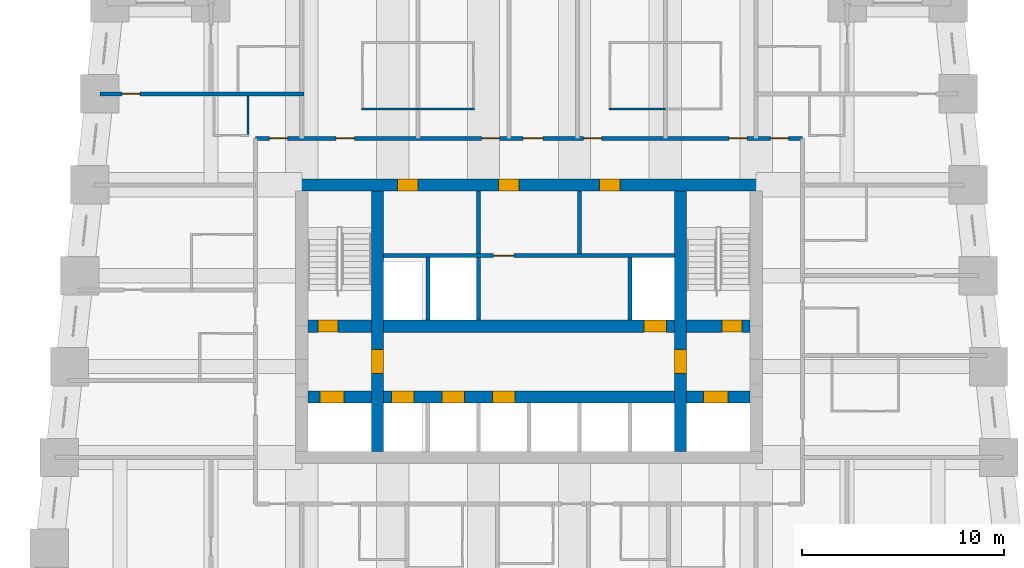
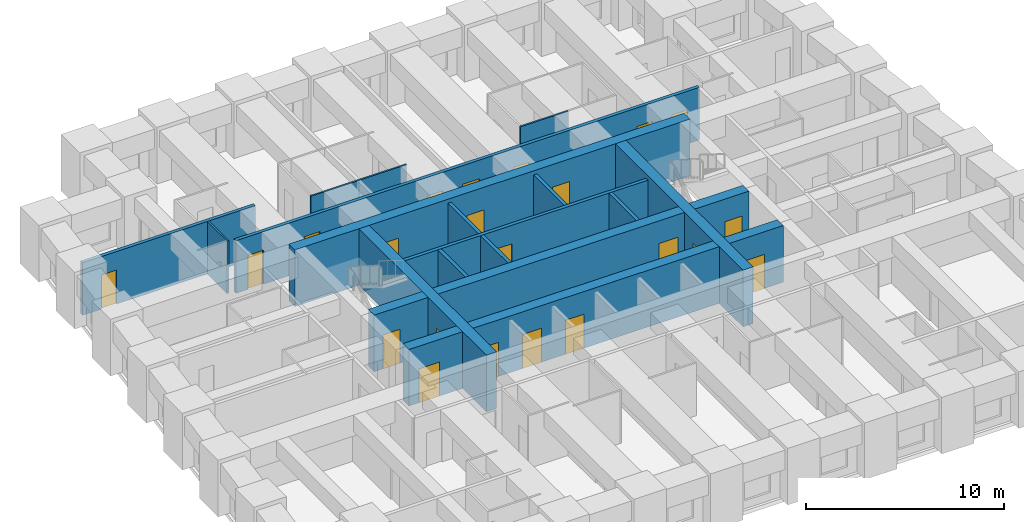
# One storey, part 4 of 8: 22 doors, 17 walls, 22 openings.
"""IFC4 building model written with IfcOpenShell, lengths in metres."""

from ifc_helpers import new_model, si_unit, direction, frame, frame_2d, origin, place, context, subcontext, project, spatial, rectangle, extrude, material, layer, layer_set, type_object, element, fill, save


model = new_model("IFC4")

# Units and contexts
model_context = context("Model", 3, precision=1e-05, world=origin(), true_north=direction((0.0, 1.0)))
body_context = subcontext(model_context, "Body", "Model", "MODEL_VIEW")
ifc_project = project(units=[si_unit("LENGTHUNIT", "METRE"), si_unit("AREAUNIT", "SQUARE_METRE"), si_unit("VOLUMEUNIT", "CUBIC_METRE"), si_unit("PLANEANGLEUNIT", "RADIAN"), si_unit("MASSUNIT", "GRAM", prefix="KILO")], contexts=[model_context])

# Site, building, storey
site_placement = place(None, origin())
site = spatial("IfcSite", under=ifc_project, at=site_placement, CompositionType="ELEMENT")
building_placement = place(site_placement, origin())
building = spatial("IfcBuilding", under=site, at=building_placement, Name="Kilele Tower Hotel", CompositionType="ELEMENT")
storey_placement = place(building_placement, frame((0.0, 0.0, 71.699951171875)))
storey = spatial("IfcBuildingStorey", under=building, at=storey_placement, Name="L17", CompositionType="ELEMENT", Elevation=71.699951171875)

# Walls
ifc_material_1 = material(Name="Moisture-resistant board")
ifc_layer_1 = layer(ifc_material_1, 0.10009765625)
ifc_layer_set_1 = layer_set([ifc_layer_1], Name="Moisture-resistant board")
wall_type_1 = type_object("IfcWallType", Name="Bathroom partition 100", PredefinedType="PLUMBINGWALL", material=ifc_layer_set_1)
for number, where, z_axis, x_axis, name in (
    (1, (16.449951171875, 30.75, 0.0), (0.0, 0.0, 1.0), (1.0, 0.0, 0.0), "Bathroom partition 100 L17"),
    (2, (19.25, 30.75, 0.0), (0.0, 0.0, 1.0), (1.0, 0.0, 0.0), "Bathroom partition 100 L17"),
    (3, (28.699951171875, 30.75, 0.0), (0.0, 0.0, 1.0), (1.0, 0.0, 0.0), "Bathroom partition 100 L17"),
):
    element("IfcWall", number, at=place(storey_placement, frame(where, z_axis=z_axis, x_axis=x_axis)), inside=storey, type_object=wall_type_1, Name=name, PredefinedType="PLUMBINGWALL", context=body_context, shape_type="SweptSolid", body=[
        extrude(rectangle(XDim=2.800048828125, YDim=0.10009765625, at=frame_2d((1.39990234375, 0.0))), origin(), (0.0, 0.0, 1.0), 3.25),
    ])
wall_1_placement = place(storey_placement, frame((10.85009765625, 31.39990234375, 0.0), z_axis=(0.0, 0.0, 1.0), x_axis=(0.0, -1.0, 0.0)))
element("IfcWall", 4, at=wall_1_placement, inside=storey, type_object=wall_type_1, Name="Bathroom partition 100 L17", PredefinedType="PLUMBINGWALL", context=body_context, shape_type="SweptSolid", body=[
    extrude(rectangle(XDim=2.0, YDim=0.10009765625, at=frame_2d((1.0, 0.0))), origin(), (0.0, 0.0, 1.0), 3.25),
])

# Wall, openings, doors
ifc_material_2 = material(Name="Concrete C60/75", Category="concrete")
ifc_layer_2 = layer(ifc_material_2, 0.60009765625)
ifc_layer_set_2 = layer_set([ifc_layer_2], Name="Concrete C60/75")
wall_type_2 = type_object("IfcWallType", Name="Core wall 600 C60/75", PredefinedType="SHEAR", material=ifc_layer_set_2)
wall_2_placement = place(storey_placement, frame((36.300048828125, 27.0, 0.0), z_axis=(0.0, 0.0, 1.0), x_axis=(-1.0, 0.0, 0.0)))
wall_2 = element("IfcWall", 5, at=wall_2_placement, inside=storey, type_object=wall_type_2, Name="Core wall N L17", PredefinedType="SHEAR", context=body_context, shape_type="SweptSolid", body=[
    extrude(rectangle(XDim=23.10009765625, YDim=0.60009765625, at=frame_2d((11.550048828125, 0.0))), origin(), (0.0, 0.0, 1.0), 3.5),
])
opening_1_placement = place(wall_2_placement, frame((17.050048828125, 0.0, 0.0)))
opening_1 = element("IfcOpeningElement", 6, at=opening_1_placement, cuts=wall_2, Name="Opening D6", PredefinedType="OPENING", context=body_context, shape_type="SweptSolid", body=[
    extrude(rectangle(XDim=1.0, YDim=2.10009765625, at=frame_2d((0.5, 1.050048828125))), frame((0.0, 0.31005859375, 0.0), z_axis=(0.0, -1.0, 0.0), x_axis=(1.0, 0.0, 0.0)), (0.0, 0.0, 1.0), 0.6201171875),
])
opening_2_placement = place(wall_2_placement, frame((12.050048828125, 0.0, 0.0)))
opening_2 = element("IfcOpeningElement", 7, at=opening_2_placement, cuts=wall_2, Name="Opening D6", PredefinedType="OPENING", context=body_context, shape_type="SweptSolid", body=[
    extrude(rectangle(XDim=1.0, YDim=2.10009765625, at=frame_2d((0.5, 1.050048828125))), frame((0.0, 0.31005859375, 0.0), z_axis=(0.0, -1.0, 0.0), x_axis=(1.0, 0.0, 0.0)), (0.0, 0.0, 1.0), 0.6201171875),
])
opening_3_placement = place(wall_2_placement, frame((7.050048828125, 0.0, 0.0)))
opening_3 = element("IfcOpeningElement", 8, at=opening_3_placement, cuts=wall_2, Name="Opening D6", PredefinedType="OPENING", context=body_context, shape_type="SweptSolid", body=[
    extrude(rectangle(XDim=1.0, YDim=2.10009765625, at=frame_2d((0.5, 1.050048828125))), frame((0.0, 0.31005859375, 0.0), z_axis=(0.0, -1.0, 0.0), x_axis=(1.0, 0.0, 0.0)), (0.0, 0.0, 1.0), 0.6201171875),
])
ifc_material_3 = material(Name="Timber door leaf in hardwood frame", Category="wood")
door_type_1 = type_object("IfcDoorType", Name="Riser door 1000", OperationType="SINGLE_SWING_LEFT", PredefinedType="DOOR", material=ifc_material_3)
door_1_placement = place(opening_1_placement, origin())
door_1 = element("IfcDoor", 9, at=door_1_placement, inside=storey, type_object=door_type_1, Name="Service riser door L17", OperationType="SINGLE_SWING_RIGHT", OverallHeight=2.10009765625, OverallWidth=1.0, PredefinedType="DOOR", context=body_context, shape_type="SweptSolid", body=[
    extrude(rectangle(XDim=1.0, YDim=2.10009765625, at=frame_2d((0.5, 1.050048828125))), frame((0.0, 0.2998046875, 0.0), z_axis=(0.0, -1.0, 0.0), x_axis=(1.0, 0.0, 0.0)), (0.0, 0.0, 1.0), 0.599609375),
])
fill(opening_1, door_1)
door_2_placement = place(opening_2_placement, origin())
door_2 = element("IfcDoor", 10, at=door_2_placement, inside=storey, type_object=door_type_1, Name="Housekeeping store door L17", OperationType="SINGLE_SWING_RIGHT", OverallHeight=2.10009765625, OverallWidth=1.0, PredefinedType="DOOR", context=body_context, shape_type="SweptSolid", body=[
    extrude(rectangle(XDim=1.0, YDim=2.10009765625, at=frame_2d((0.5, 1.050048828125))), frame((0.0, 0.2998046875, 0.0), z_axis=(0.0, -1.0, 0.0), x_axis=(1.0, 0.0, 0.0)), (0.0, 0.0, 1.0), 0.599609375),
])
fill(opening_2, door_2)
door_3_placement = place(opening_3_placement, origin())
door_3 = element("IfcDoor", 11, at=door_3_placement, inside=storey, type_object=door_type_1, Name="Electrical riser door L17", OperationType="SINGLE_SWING_RIGHT", OverallHeight=2.10009765625, OverallWidth=1.0, PredefinedType="DOOR", context=body_context, shape_type="SweptSolid", body=[
    extrude(rectangle(XDim=1.0, YDim=2.10009765625, at=frame_2d((0.5, 1.050048828125))), frame((0.0, 0.2998046875, 0.0), z_axis=(0.0, -1.0, 0.0), x_axis=(1.0, 0.0, 0.0)), (0.0, 0.0, 1.0), 0.599609375),
])
fill(opening_3, door_3)

# Wall, opening, door
wall_3_placement = place(storey_placement, frame((17.25, 13.800048828125, 0.0), z_axis=(0.0, 0.0, 1.0), x_axis=(0.0, 1.0, 0.0)))
wall_3 = element("IfcWall", 12, at=wall_3_placement, inside=storey, type_object=wall_type_2, Name="Core wall IW L17", PredefinedType="SHEAR", context=body_context, shape_type="SweptSolid", body=[
    extrude(rectangle(XDim=12.89990234375, YDim=0.60009765625, at=frame_2d((6.449951171875, 0.0))), origin(), (0.0, 0.0, 1.0), 3.5),
])
opening_4_placement = place(wall_3_placement, frame((3.85009765625, 0.0, 0.0)))
opening_4 = element("IfcOpeningElement", 13, at=opening_4_placement, cuts=wall_3, Name="Opening D4", PredefinedType="OPENING", context=body_context, shape_type="SweptSolid", body=[
    extrude(rectangle(XDim=1.199951171875, YDim=2.10009765625, at=frame_2d((0.60009765625, 1.050048828125))), frame((0.0, 0.31005859375, 0.0), z_axis=(0.0, -1.0, 0.0), x_axis=(1.0, 0.0, 0.0)), (0.0, 0.0, 1.0), 0.6201171875),
])
ifc_material_4 = material(Name="Timber door leaf in hardwood frame", Category="wood")
door_type_2 = type_object("IfcDoorType", Name="Firefighting lobby door 1200", OperationType="SINGLE_SWING_LEFT", PredefinedType="DOOR", material=ifc_material_4)
door_4_placement = place(opening_4_placement, origin())
door_4 = element("IfcDoor", 14, at=door_4_placement, inside=storey, type_object=door_type_2, Name="Lobby door L17", OperationType="SINGLE_SWING_LEFT", OverallHeight=2.10009765625, OverallWidth=1.199951171875, PredefinedType="DOOR", context=body_context, shape_type="SweptSolid", body=[
    extrude(rectangle(XDim=1.199951171875, YDim=2.10009765625, at=frame_2d((0.60009765625, 1.050048828125))), frame((0.0, 0.2998046875, 0.0), z_axis=(0.0, -1.0, 0.0), x_axis=(1.0, 0.0, 0.0)), (0.0, 0.0, 1.0), 0.599609375),
])
fill(opening_4, door_4)

wall_4_placement = place(storey_placement, frame((32.25, 13.800048828125, 0.0), z_axis=(0.0, 0.0, 1.0), x_axis=(0.0, 1.0, 0.0)))
wall_4 = element("IfcWall", 15, at=wall_4_placement, inside=storey, type_object=wall_type_2, Name="Core wall IE L17", PredefinedType="SHEAR", context=body_context, shape_type="SweptSolid", body=[
    extrude(rectangle(XDim=12.89990234375, YDim=0.60009765625, at=frame_2d((6.449951171875, 0.0))), origin(), (0.0, 0.0, 1.0), 3.5),
])
opening_5_placement = place(wall_4_placement, frame((5.050048828125, 0.0, 0.0), z_axis=(0.0, 0.0, 1.0), x_axis=(-1.0, 0.0, 0.0)))
opening_5 = element("IfcOpeningElement", 16, at=opening_5_placement, cuts=wall_4, Name="Opening D4", PredefinedType="OPENING", context=body_context, shape_type="SweptSolid", body=[
    extrude(rectangle(XDim=1.199951171875, YDim=2.10009765625, at=frame_2d((0.60009765625, 1.050048828125))), frame((0.0, 0.31005859375, 0.0), z_axis=(0.0, -1.0, 0.0), x_axis=(1.0, 0.0, 0.0)), (0.0, 0.0, 1.0), 0.6201171875),
])
door_5_placement = place(opening_5_placement, origin())
door_5 = element("IfcDoor", 17, at=door_5_placement, inside=storey, type_object=door_type_2, Name="Lobby door L17", OperationType="SINGLE_SWING_RIGHT", OverallHeight=2.10009765625, OverallWidth=1.199951171875, PredefinedType="DOOR", context=body_context, shape_type="SweptSolid", body=[
    extrude(rectangle(XDim=1.199951171875, YDim=2.10009765625, at=frame_2d((0.60009765625, 1.050048828125))), frame((0.0, 0.2998046875, 0.0), z_axis=(0.0, -1.0, 0.0), x_axis=(1.0, 0.0, 0.0)), (0.0, 0.0, 1.0), 0.599609375),
])
fill(opening_5, door_5)

# Wall, openings, doors
wall_5_placement = place(storey_placement, frame((13.800048828125, 16.5, 0.0), z_axis=(0.0, 0.0, 1.0), x_axis=(1.0, 0.0, 0.0)))
wall_5 = element("IfcWall", 18, at=wall_5_placement, inside=storey, type_object=wall_type_2, Name="Core wall LS L17", PredefinedType="SHEAR", context=body_context, shape_type="SweptSolid", body=[
    extrude(rectangle(XDim=21.89990234375, YDim=0.60009765625, at=frame_2d((10.949951171875, 0.0))), origin(), (0.0, 0.0, 1.0), 3.5),
])
opening_6_placement = place(wall_5_placement, frame((4.14990234375, 0.0, 0.0)))
opening_6 = element("IfcOpeningElement", 19, at=opening_6_placement, cuts=wall_5, Name="Opening LD1", PredefinedType="OPENING", context=body_context, shape_type="SweptSolid", body=[
    extrude(rectangle(XDim=1.10009765625, YDim=2.10009765625, at=frame_2d((0.550048828125, 1.050048828125))), frame((0.0, 0.31005859375, 0.0), z_axis=(0.0, -1.0, 0.0), x_axis=(1.0, 0.0, 0.0)), (0.0, 0.0, 1.0), 0.6201171875),
])
opening_7_placement = place(wall_5_placement, frame((6.64990234375, 0.0, 0.0)))
opening_7 = element("IfcOpeningElement", 20, at=opening_7_placement, cuts=wall_5, Name="Opening LD1", PredefinedType="OPENING", context=body_context, shape_type="SweptSolid", body=[
    extrude(rectangle(XDim=1.10009765625, YDim=2.10009765625, at=frame_2d((0.550048828125, 1.050048828125))), frame((0.0, 0.31005859375, 0.0), z_axis=(0.0, -1.0, 0.0), x_axis=(1.0, 0.0, 0.0)), (0.0, 0.0, 1.0), 0.6201171875),
])
opening_8_placement = place(wall_5_placement, frame((9.14990234375, 0.0, 0.0)))
opening_8 = element("IfcOpeningElement", 21, at=opening_8_placement, cuts=wall_5, Name="Opening LD1", PredefinedType="OPENING", context=body_context, shape_type="SweptSolid", body=[
    extrude(rectangle(XDim=1.10009765625, YDim=2.10009765625, at=frame_2d((0.550048828125, 1.050048828125))), frame((0.0, 0.31005859375, 0.0), z_axis=(0.0, -1.0, 0.0), x_axis=(1.0, 0.0, 0.0)), (0.0, 0.0, 1.0), 0.6201171875),
])
opening_9_placement = place(wall_5_placement, frame((0.60009765625, 0.0, 0.0)))
opening_9 = element("IfcOpeningElement", 22, at=opening_9_placement, cuts=wall_5, Name="Opening LD2", PredefinedType="OPENING", context=body_context, shape_type="SweptSolid", body=[
    extrude(rectangle(XDim=1.199951171875, YDim=2.10009765625, at=frame_2d((0.60009765625, 1.050048828125))), frame((0.0, 0.31005859375, 0.0), z_axis=(0.0, -1.0, 0.0), x_axis=(1.0, 0.0, 0.0)), (0.0, 0.0, 1.0), 0.6201171875),
])
opening_10_placement = place(wall_5_placement, frame((19.60009765625, 0.0, 0.0)))
opening_10 = element("IfcOpeningElement", 23, at=opening_10_placement, cuts=wall_5, Name="Opening LD2", PredefinedType="OPENING", context=body_context, shape_type="SweptSolid", body=[
    extrude(rectangle(XDim=1.199951171875, YDim=2.10009765625, at=frame_2d((0.60009765625, 1.050048828125))), frame((0.0, 0.31005859375, 0.0), z_axis=(0.0, -1.0, 0.0), x_axis=(1.0, 0.0, 0.0)), (0.0, 0.0, 1.0), 0.6201171875),
])
ifc_material_5 = material(Name="Steel lift landing door", Category="steel")
door_type_3 = type_object("IfcDoorType", Name="Firefighting lift landing door 1200", OperationType="SLIDING_TO_LEFT", PredefinedType="DOOR", material=ifc_material_5)
door_6_placement = place(opening_9_placement, origin())
door_6 = element("IfcDoor", 24, at=door_6_placement, inside=storey, type_object=door_type_3, Name="Landing door FFW L17", OperationType="SLIDING_TO_LEFT", OverallHeight=2.10009765625, OverallWidth=1.199951171875, PredefinedType="DOOR", context=body_context, shape_type="SweptSolid", body=[
    extrude(rectangle(XDim=1.199951171875, YDim=2.10009765625, at=frame_2d((0.60009765625, 1.050048828125))), frame((0.0, 0.2998046875, 0.0), z_axis=(0.0, -1.0, 0.0), x_axis=(1.0, 0.0, 0.0)), (0.0, 0.0, 1.0), 0.599609375),
])
fill(opening_9, door_6)
door_7_placement = place(opening_10_placement, origin())
door_7 = element("IfcDoor", 25, at=door_7_placement, inside=storey, type_object=door_type_3, Name="Landing door FFE L17", OperationType="SLIDING_TO_LEFT", OverallHeight=2.10009765625, OverallWidth=1.199951171875, PredefinedType="DOOR", context=body_context, shape_type="SweptSolid", body=[
    extrude(rectangle(XDim=1.199951171875, YDim=2.10009765625, at=frame_2d((0.60009765625, 1.050048828125))), frame((0.0, 0.2998046875, 0.0), z_axis=(0.0, -1.0, 0.0), x_axis=(1.0, 0.0, 0.0)), (0.0, 0.0, 1.0), 0.599609375),
])
fill(opening_10, door_7)
ifc_material_6 = material(Name="Steel lift landing door", Category="steel")
door_type_4 = type_object("IfcDoorType", Name="Lift landing door 1100", OperationType="SLIDING_TO_LEFT", PredefinedType="DOOR", material=ifc_material_6)
door_8_placement = place(opening_6_placement, origin())
door_8 = element("IfcDoor", 26, at=door_8_placement, inside=storey, type_object=door_type_4, Name="Landing door L1 L17", OperationType="SLIDING_TO_LEFT", OverallHeight=2.10009765625, OverallWidth=1.10009765625, PredefinedType="DOOR", context=body_context, shape_type="SweptSolid", body=[
    extrude(rectangle(XDim=1.10009765625, YDim=2.10009765625, at=frame_2d((0.550048828125, 1.050048828125))), frame((0.0, 0.2998046875, 0.0), z_axis=(0.0, -1.0, 0.0), x_axis=(1.0, 0.0, 0.0)), (0.0, 0.0, 1.0), 0.599609375),
])
fill(opening_6, door_8)
door_9_placement = place(opening_7_placement, origin())
door_9 = element("IfcDoor", 27, at=door_9_placement, inside=storey, type_object=door_type_4, Name="Landing door L2 L17", OperationType="SLIDING_TO_LEFT", OverallHeight=2.10009765625, OverallWidth=1.10009765625, PredefinedType="DOOR", context=body_context, shape_type="SweptSolid", body=[
    extrude(rectangle(XDim=1.10009765625, YDim=2.10009765625, at=frame_2d((0.550048828125, 1.050048828125))), frame((0.0, 0.2998046875, 0.0), z_axis=(0.0, -1.0, 0.0), x_axis=(1.0, 0.0, 0.0)), (0.0, 0.0, 1.0), 0.599609375),
])
fill(opening_7, door_9)
door_10_placement = place(opening_8_placement, origin())
door_10 = element("IfcDoor", 28, at=door_10_placement, inside=storey, type_object=door_type_4, Name="Landing door L3 L17", OperationType="SLIDING_TO_LEFT", OverallHeight=2.10009765625, OverallWidth=1.10009765625, PredefinedType="DOOR", context=body_context, shape_type="SweptSolid", body=[
    extrude(rectangle(XDim=1.10009765625, YDim=2.10009765625, at=frame_2d((0.550048828125, 1.050048828125))), frame((0.0, 0.2998046875, 0.0), z_axis=(0.0, -1.0, 0.0), x_axis=(1.0, 0.0, 0.0)), (0.0, 0.0, 1.0), 0.599609375),
])
fill(opening_8, door_10)

wall_6_placement = place(storey_placement, frame((13.800048828125, 20.0, 0.0), z_axis=(0.0, 0.0, 1.0), x_axis=(1.0, 0.0, 0.0)))
wall_6 = element("IfcWall", 29, at=wall_6_placement, inside=storey, type_object=wall_type_2, Name="Core wall LN L17", PredefinedType="SHEAR", context=body_context, shape_type="SweptSolid", body=[
    extrude(rectangle(XDim=21.89990234375, YDim=0.60009765625, at=frame_2d((10.949951171875, 0.0))), origin(), (0.0, 0.0, 1.0), 3.5),
])
opening_11_placement = place(wall_6_placement, frame((0.5, 0.0, 0.0)))
opening_11 = element("IfcOpeningElement", 30, at=opening_11_placement, cuts=wall_6, Name="Opening D5", PredefinedType="OPENING", context=body_context, shape_type="SweptSolid", body=[
    extrude(rectangle(XDim=1.0, YDim=2.10009765625, at=frame_2d((0.5, 1.050048828125))), frame((0.0, 0.31005859375, 0.0), z_axis=(0.0, -1.0, 0.0), x_axis=(1.0, 0.0, 0.0)), (0.0, 0.0, 1.0), 0.6201171875),
])
opening_12_placement = place(wall_6_placement, frame((20.5, 0.0, 0.0)))
opening_12 = element("IfcOpeningElement", 31, at=opening_12_placement, cuts=wall_6, Name="Opening D5", PredefinedType="OPENING", context=body_context, shape_type="SweptSolid", body=[
    extrude(rectangle(XDim=1.0, YDim=2.10009765625, at=frame_2d((0.5, 1.050048828125))), frame((0.0, 0.31005859375, 0.0), z_axis=(0.0, -1.0, 0.0), x_axis=(1.0, 0.0, 0.0)), (0.0, 0.0, 1.0), 0.6201171875),
])
opening_13_placement = place(wall_6_placement, frame((16.64990234375, 0.0, 0.0)))
opening_13 = element("IfcOpeningElement", 32, at=opening_13_placement, cuts=wall_6, Name="Opening LD1", PredefinedType="OPENING", context=body_context, shape_type="SweptSolid", body=[
    extrude(rectangle(XDim=1.10009765625, YDim=2.10009765625, at=frame_2d((0.550048828125, 1.050048828125))), frame((0.0, 0.31005859375, 0.0), z_axis=(0.0, -1.0, 0.0), x_axis=(1.0, 0.0, 0.0)), (0.0, 0.0, 1.0), 0.6201171875),
])
door_11_placement = place(opening_13_placement, origin())
door_11 = element("IfcDoor", 33, at=door_11_placement, inside=storey, type_object=door_type_4, Name="Landing door G1 L17", OperationType="SLIDING_TO_LEFT", OverallHeight=2.10009765625, OverallWidth=1.10009765625, PredefinedType="DOOR", context=body_context, shape_type="SweptSolid", body=[
    extrude(rectangle(XDim=1.10009765625, YDim=2.10009765625, at=frame_2d((0.550048828125, 1.050048828125))), frame((0.0, 0.2998046875, 0.0), z_axis=(0.0, -1.0, 0.0), x_axis=(1.0, 0.0, 0.0)), (0.0, 0.0, 1.0), 0.599609375),
])
fill(opening_13, door_11)
ifc_material_7 = material(Name="Timber door leaf in hardwood frame", Category="wood")
door_type_5 = type_object("IfcDoorType", Name="Stair door 1000", OperationType="SINGLE_SWING_LEFT", PredefinedType="DOOR", material=ifc_material_7)
door_12_placement = place(opening_11_placement, origin())
door_12 = element("IfcDoor", 34, at=door_12_placement, inside=storey, type_object=door_type_5, Name="Stair 1 door L17", OperationType="SINGLE_SWING_LEFT", OverallHeight=2.10009765625, OverallWidth=1.0, PredefinedType="DOOR", context=body_context, shape_type="SweptSolid", body=[
    extrude(rectangle(XDim=1.0, YDim=2.10009765625, at=frame_2d((0.5, 1.050048828125))), frame((0.0, 0.2998046875, 0.0), z_axis=(0.0, -1.0, 0.0), x_axis=(1.0, 0.0, 0.0)), (0.0, 0.0, 1.0), 0.599609375),
])
fill(opening_11, door_12)
door_13_placement = place(opening_12_placement, origin())
door_13 = element("IfcDoor", 35, at=door_13_placement, inside=storey, type_object=door_type_5, Name="Stair 2 door L17", OperationType="SINGLE_SWING_RIGHT", OverallHeight=2.10009765625, OverallWidth=1.0, PredefinedType="DOOR", context=body_context, shape_type="SweptSolid", body=[
    extrude(rectangle(XDim=1.0, YDim=2.10009765625, at=frame_2d((0.5, 1.050048828125))), frame((0.0, 0.2998046875, 0.0), z_axis=(0.0, -1.0, 0.0), x_axis=(1.0, 0.0, 0.0)), (0.0, 0.0, 1.0), 0.599609375),
])
fill(opening_12, door_13)

ifc_material_8 = material(Name="Blockwork, plastered both sides", Category="masonry")
ifc_layer_3 = layer(ifc_material_8, 0.199951171875)
ifc_layer_set_3 = layer_set([ifc_layer_3], Name="Blockwork, plastered both sides")
wall_type_3 = type_object("IfcWallType", Name="Corridor wall 200", PredefinedType="PARTITIONING", material=ifc_layer_set_3)
wall_7_placement = place(storey_placement, frame((11.199951171875, 29.300048828125, 0.0), z_axis=(0.0, 0.0, 1.0), x_axis=(1.0, 0.0, 0.0)))
wall_7 = element("IfcWall", 36, at=wall_7_placement, inside=storey, type_object=wall_type_3, Name="Corridor wall 200 L17", PredefinedType="PARTITIONING", context=body_context, shape_type="SweptSolid", body=[
    extrude(rectangle(XDim=27.10009765625, YDim=0.199951171875, at=frame_2d((13.550048828125, 0.0))), origin(), (0.0, 0.0, 1.0), 3.25),
])
opening_14_placement = place(wall_7_placement, frame((4.0, 0.0, 0.0)))
opening_14 = element("IfcOpeningElement", 37, at=opening_14_placement, cuts=wall_7, Name="Opening D1", PredefinedType="OPENING", context=body_context, shape_type="SweptSolid", body=[
    extrude(rectangle(XDim=0.89990234375, YDim=2.10009765625, at=frame_2d((0.449951171875, 1.050048828125))), frame((0.0, 0.10986328125, 0.0), z_axis=(0.0, -1.0, 0.0), x_axis=(1.0, 0.0, 0.0)), (0.0, 0.0, 1.0), 0.219970703125),
])
opening_15_placement = place(wall_7_placement, frame((11.199951171875, 0.0, 0.0)))
opening_15 = element("IfcOpeningElement", 38, at=opening_15_placement, cuts=wall_7, Name="Opening D1", PredefinedType="OPENING", context=body_context, shape_type="SweptSolid", body=[
    extrude(rectangle(XDim=0.89990234375, YDim=2.10009765625, at=frame_2d((0.449951171875, 1.050048828125))), frame((0.0, 0.10986328125, 0.0), z_axis=(0.0, -1.0, 0.0), x_axis=(1.0, 0.0, 0.0)), (0.0, 0.0, 1.0), 0.219970703125),
])
opening_16_placement = place(wall_7_placement, frame((13.25, 0.0, 0.0)))
opening_16 = element("IfcOpeningElement", 39, at=opening_16_placement, cuts=wall_7, Name="Opening D8", PredefinedType="OPENING", context=body_context, shape_type="SweptSolid", body=[
    extrude(rectangle(XDim=1.0, YDim=2.10009765625, at=frame_2d((0.5, 1.050048828125))), frame((0.0, 0.10986328125, 0.0), z_axis=(0.0, -1.0, 0.0), x_axis=(1.0, 0.0, 0.0)), (0.0, 0.0, 1.0), 0.219970703125),
])
opening_17_placement = place(wall_7_placement, frame((16.25, 0.0, 0.0)))
opening_17 = element("IfcOpeningElement", 40, at=opening_17_placement, cuts=wall_7, Name="Opening D1", PredefinedType="OPENING", context=body_context, shape_type="SweptSolid", body=[
    extrude(rectangle(XDim=0.89990234375, YDim=2.10009765625, at=frame_2d((0.449951171875, 1.050048828125))), frame((0.0, 0.10986328125, 0.0), z_axis=(0.0, -1.0, 0.0), x_axis=(1.0, 0.0, 0.0)), (0.0, 0.0, 1.0), 0.219970703125),
])
opening_18_placement = place(wall_7_placement, frame((23.449951171875, 0.0, 0.0)))
opening_18 = element("IfcOpeningElement", 41, at=opening_18_placement, cuts=wall_7, Name="Opening D1", PredefinedType="OPENING", context=body_context, shape_type="SweptSolid", body=[
    extrude(rectangle(XDim=0.89990234375, YDim=2.10009765625, at=frame_2d((0.449951171875, 1.050048828125))), frame((0.0, 0.10986328125, 0.0), z_axis=(0.0, -1.0, 0.0), x_axis=(1.0, 0.0, 0.0)), (0.0, 0.0, 1.0), 0.219970703125),
])
opening_19_placement = place(wall_7_placement, frame((25.5, 0.0, 0.0)))
opening_19 = element("IfcOpeningElement", 42, at=opening_19_placement, cuts=wall_7, Name="Opening D1", PredefinedType="OPENING", context=body_context, shape_type="SweptSolid", body=[
    extrude(rectangle(XDim=0.89990234375, YDim=2.10009765625, at=frame_2d((0.449951171875, 1.050048828125))), frame((0.0, 0.10986328125, 0.0), z_axis=(0.0, -1.0, 0.0), x_axis=(1.0, 0.0, 0.0)), (0.0, 0.0, 1.0), 0.219970703125),
])
opening_20_placement = place(wall_7_placement, frame((0.699951171875, 0.0, 0.0)))
opening_20 = element("IfcOpeningElement", 43, at=opening_20_placement, cuts=wall_7, Name="Opening D1", PredefinedType="OPENING", context=body_context, shape_type="SweptSolid", body=[
    extrude(rectangle(XDim=0.89990234375, YDim=2.10009765625, at=frame_2d((0.449951171875, 1.050048828125))), frame((0.0, 0.10986328125, 0.0), z_axis=(0.0, -1.0, 0.0), x_axis=(1.0, 0.0, 0.0)), (0.0, 0.0, 1.0), 0.219970703125),
])
ifc_material_9 = material(Name="Timber door leaf in hardwood frame", Category="wood")
door_type_6 = type_object("IfcDoorType", Name="Door 1000", OperationType="SINGLE_SWING_LEFT", PredefinedType="DOOR", material=ifc_material_9)
door_14_placement = place(opening_16_placement, origin())
door_14 = element("IfcDoor", 44, at=door_14_placement, inside=storey, type_object=door_type_6, Name="Room entrance 1711", OperationType="SINGLE_SWING_LEFT", OverallHeight=2.10009765625, OverallWidth=1.0, PredefinedType="DOOR", context=body_context, shape_type="SweptSolid", body=[
    extrude(rectangle(XDim=1.0, YDim=2.10009765625, at=frame_2d((0.5, 1.050048828125))), frame((0.0, 0.02490234375, 0.0), z_axis=(0.0, -1.0, 0.0), x_axis=(1.0, 0.0, 0.0)), (0.0, 0.0, 1.0), 0.050048828125),
])
fill(opening_16, door_14)
ifc_material_10 = material(Name="Timber door leaf in hardwood frame", Category="wood")
door_type_7 = type_object("IfcDoorType", Name="Guest room entrance door 900", OperationType="SINGLE_SWING_LEFT", PredefinedType="DOOR", material=ifc_material_10)
door_15_placement = place(opening_14_placement, origin())
door_15 = element("IfcDoor", 45, at=door_15_placement, inside=storey, type_object=door_type_7, Name="Room entrance 1709", OperationType="SINGLE_SWING_LEFT", OverallHeight=2.10009765625, OverallWidth=0.89990234375, PredefinedType="DOOR", context=body_context, shape_type="SweptSolid", body=[
    extrude(rectangle(XDim=0.89990234375, YDim=2.10009765625, at=frame_2d((0.449951171875, 1.050048828125))), frame((0.0, 0.02490234375, 0.0), z_axis=(0.0, -1.0, 0.0), x_axis=(1.0, 0.0, 0.0)), (0.0, 0.0, 1.0), 0.050048828125),
])
fill(opening_14, door_15)
door_16_placement = place(opening_15_placement, origin())
door_16 = element("IfcDoor", 46, at=door_16_placement, inside=storey, type_object=door_type_7, Name="Room entrance 1710", OperationType="SINGLE_SWING_RIGHT", OverallHeight=2.10009765625, OverallWidth=0.89990234375, PredefinedType="DOOR", context=body_context, shape_type="SweptSolid", body=[
    extrude(rectangle(XDim=0.89990234375, YDim=2.10009765625, at=frame_2d((0.449951171875, 1.050048828125))), frame((0.0, 0.02490234375, 0.0), z_axis=(0.0, -1.0, 0.0), x_axis=(1.0, 0.0, 0.0)), (0.0, 0.0, 1.0), 0.050048828125),
])
fill(opening_15, door_16)
door_17_placement = place(opening_17_placement, origin())
door_17 = element("IfcDoor", 47, at=door_17_placement, inside=storey, type_object=door_type_7, Name="Room entrance 1712", OperationType="SINGLE_SWING_LEFT", OverallHeight=2.10009765625, OverallWidth=0.89990234375, PredefinedType="DOOR", context=body_context, shape_type="SweptSolid", body=[
    extrude(rectangle(XDim=0.89990234375, YDim=2.10009765625, at=frame_2d((0.449951171875, 1.050048828125))), frame((0.0, 0.02490234375, 0.0), z_axis=(0.0, -1.0, 0.0), x_axis=(1.0, 0.0, 0.0)), (0.0, 0.0, 1.0), 0.050048828125),
])
fill(opening_17, door_17)
door_18_placement = place(opening_18_placement, origin())
door_18 = element("IfcDoor", 48, at=door_18_placement, inside=storey, type_object=door_type_7, Name="Room entrance 1713", OperationType="SINGLE_SWING_RIGHT", OverallHeight=2.10009765625, OverallWidth=0.89990234375, PredefinedType="DOOR", context=body_context, shape_type="SweptSolid", body=[
    extrude(rectangle(XDim=0.89990234375, YDim=2.10009765625, at=frame_2d((0.449951171875, 1.050048828125))), frame((0.0, 0.02490234375, 0.0), z_axis=(0.0, -1.0, 0.0), x_axis=(1.0, 0.0, 0.0)), (0.0, 0.0, 1.0), 0.050048828125),
])
fill(opening_18, door_18)
door_19_placement = place(opening_19_placement, origin())
door_19 = element("IfcDoor", 49, at=door_19_placement, inside=storey, type_object=door_type_7, Name="Room entrance 1723", OperationType="SINGLE_SWING_LEFT", OverallHeight=2.10009765625, OverallWidth=0.89990234375, PredefinedType="DOOR", context=body_context, shape_type="SweptSolid", body=[
    extrude(rectangle(XDim=0.89990234375, YDim=2.10009765625, at=frame_2d((0.449951171875, 1.050048828125))), frame((0.0, 0.02490234375, 0.0), z_axis=(0.0, -1.0, 0.0), x_axis=(1.0, 0.0, 0.0)), (0.0, 0.0, 1.0), 0.050048828125),
])
fill(opening_19, door_19)
door_20_placement = place(opening_20_placement, origin())
door_20 = element("IfcDoor", 50, at=door_20_placement, inside=storey, type_object=door_type_7, Name="Room entrance 1726", OperationType="SINGLE_SWING_RIGHT", OverallHeight=2.10009765625, OverallWidth=0.89990234375, PredefinedType="DOOR", context=body_context, shape_type="SweptSolid", body=[
    extrude(rectangle(XDim=0.89990234375, YDim=2.10009765625, at=frame_2d((0.449951171875, 1.050048828125))), frame((0.0, 0.02490234375, 0.0), z_axis=(0.0, -1.0, 0.0), x_axis=(1.0, 0.0, 0.0)), (0.0, 0.0, 1.0), 0.050048828125),
])
fill(opening_20, door_20)

# Wall, opening, door
ifc_material_11 = material(Name="Blockwork, plastered both sides", Category="masonry")
ifc_layer_4 = layer(ifc_material_11, 0.199951171875)
ifc_layer_set_4 = layer_set([ifc_layer_4], Name="Blockwork, plastered both sides")
wall_type_4 = type_object("IfcWallType", Name="Party wall 200", PredefinedType="PARTITIONING", material=ifc_layer_set_4)
wall_8_placement = place(storey_placement, frame((13.60009765625, 31.5, 0.0), z_axis=(0.0, 0.0, 1.0), x_axis=(-1.0, 0.0, 0.0)))
wall_8 = element("IfcWall", 51, at=wall_8_placement, inside=storey, type_object=wall_type_4, Name="Party wall 200 L17", PredefinedType="PARTITIONING", context=body_context, shape_type="SweptSolid", body=[
    extrude(rectangle(XDim=10.09912109375, YDim=0.199951171875, at=frame_2d((5.049560546875, 0.0))), origin(), (0.0, 0.0, 1.0), 3.25),
])
opening_21_placement = place(wall_8_placement, frame((8.9990234375, 0.0, 0.0), z_axis=(0.0, 0.0, 1.0), x_axis=(-1.0, 0.0, 0.0)))
opening_21 = element("IfcOpeningElement", 52, at=opening_21_placement, cuts=wall_8, Name="Opening D3", PredefinedType="OPENING", context=body_context, shape_type="SweptSolid", body=[
    extrude(rectangle(XDim=0.89990234375, YDim=2.10009765625, at=frame_2d((0.449951171875, 1.050048828125))), frame((0.0, 0.10986328125, 0.0), z_axis=(0.0, -1.0, 0.0), x_axis=(1.0, 0.0, 0.0)), (0.0, 0.0, 1.0), 0.219970703125),
])
ifc_material_12 = material(Name="Timber door leaf in hardwood frame", Category="wood")
door_type_8 = type_object("IfcDoorType", Name="Suite internal door 900", OperationType="SINGLE_SWING_LEFT", PredefinedType="DOOR", material=ifc_material_12)
door_21_placement = place(opening_21_placement, origin())
door_21 = element("IfcDoor", 53, at=door_21_placement, inside=storey, type_object=door_type_8, Name="Suite door 1727", OperationType="SINGLE_SWING_LEFT", OverallHeight=2.10009765625, OverallWidth=0.89990234375, PredefinedType="DOOR", context=body_context, shape_type="SweptSolid", body=[
    extrude(rectangle(XDim=0.89990234375, YDim=2.10009765625, at=frame_2d((0.449951171875, 1.050048828125))), frame((0.0, 0.02490234375, 0.0), z_axis=(0.0, -1.0, 0.0), x_axis=(1.0, 0.0, 0.0)), (0.0, 0.0, 1.0), 0.050048828125),
])
fill(opening_21, door_21)

# Walls
ifc_material_13 = material(Name="Blockwork, fire-rated", Category="masonry")
ifc_layer_5 = layer(ifc_material_13, 0.199951171875)
ifc_layer_set_5 = layer_set([ifc_layer_5], Name="Blockwork, fire-rated")
wall_type_5 = type_object("IfcWallType", Name="Shaft wall 200", PredefinedType="PARTITIONING", material=ifc_layer_set_5)
for number, where, z_axis, x_axis, name in (
    (54, (19.75, 20.300048828125, 0.0), (0.0, 0.0, 1.0), (0.0, 1.0, 0.0), "Shaft wall 200 L17"),
    (55, (22.25, 20.300048828125, 0.0), (0.0, 0.0, 1.0), (0.0, 1.0, 0.0), "Shaft wall 200 L17"),
    (56, (29.75, 20.300048828125, 0.0), (0.0, 0.0, 1.0), (0.0, 1.0, 0.0), "Shaft wall 200 L17"),
):
    element("IfcWall", number, at=place(storey_placement, frame(where, z_axis=z_axis, x_axis=x_axis)), inside=storey, type_object=wall_type_5, Name=name, PredefinedType="PARTITIONING", context=body_context, shape_type="SweptSolid", body=[
        extrude(rectangle(XDim=3.099853515625, YDim=0.199951171875, at=frame_2d((1.5498046875, 0.0))), origin(), (0.0, 0.0, 1.0), 3.25),
    ])

# Wall, opening, door
wall_9_placement = place(storey_placement, frame((17.550048828125, 23.5, 0.0), z_axis=(0.0, 0.0, 1.0), x_axis=(1.0, 0.0, 0.0)))
wall_9 = element("IfcWall", 57, at=wall_9_placement, inside=storey, type_object=wall_type_5, Name="Shaft wall 200 L17", PredefinedType="PARTITIONING", context=body_context, shape_type="SweptSolid", body=[
    extrude(rectangle(XDim=14.39990234375, YDim=0.199951171875, at=frame_2d((7.199951171875, 0.0))), origin(), (0.0, 0.0, 1.0), 3.25),
])
opening_22_placement = place(wall_9_placement, frame((5.449951171875, 0.0, 0.0)))
opening_22 = element("IfcOpeningElement", 58, at=opening_22_placement, cuts=wall_9, Name="Opening D11", PredefinedType="OPENING", context=body_context, shape_type="SweptSolid", body=[
    extrude(rectangle(XDim=1.0, YDim=2.10009765625, at=frame_2d((0.5, 1.050048828125))), frame((0.0, 0.10986328125, 0.0), z_axis=(0.0, -1.0, 0.0), x_axis=(1.0, 0.0, 0.0)), (0.0, 0.0, 1.0), 0.219970703125),
])
ifc_material_14 = material(Name="Timber door leaf in hardwood frame", Category="wood")
door_type_9 = type_object("IfcDoorType", Name="Core store door 1000", OperationType="SINGLE_SWING_LEFT", PredefinedType="DOOR", material=ifc_material_14)
door_22_placement = place(opening_22_placement, origin())
door_22 = element("IfcDoor", 59, at=door_22_placement, inside=storey, type_object=door_type_9, Name="Core room door H1", OperationType="SINGLE_SWING_LEFT", OverallHeight=2.10009765625, OverallWidth=1.0, PredefinedType="DOOR", context=body_context, shape_type="SweptSolid", body=[
    extrude(rectangle(XDim=1.0, YDim=2.10009765625, at=frame_2d((0.5, 1.050048828125))), frame((0.0, 0.02490234375, 0.0), z_axis=(0.0, -1.0, 0.0), x_axis=(1.0, 0.0, 0.0)), (0.0, 0.0, 1.0), 0.050048828125),
])
fill(opening_22, door_22)

# Walls
for number, where, z_axis, x_axis, name in (
    (60, (22.25, 23.60009765625, 0.0), (0.0, 0.0, 1.0), (0.0, 1.0, 0.0), "Shaft wall 200 L17"),
    (61, (27.25, 23.60009765625, 0.0), (0.0, 0.0, 1.0), (0.0, 1.0, 0.0), "Shaft wall 200 L17"),
):
    element("IfcWall", number, at=place(storey_placement, frame(where, z_axis=z_axis, x_axis=x_axis)), inside=storey, type_object=wall_type_5, Name=name, PredefinedType="PARTITIONING", context=body_context, shape_type="SweptSolid", body=[
        extrude(rectangle(XDim=3.099853515625, YDim=0.199951171875, at=frame_2d((1.5498046875, 0.0))), origin(), (0.0, 0.0, 1.0), 3.25),
    ])

save(model, "model.ifc")
